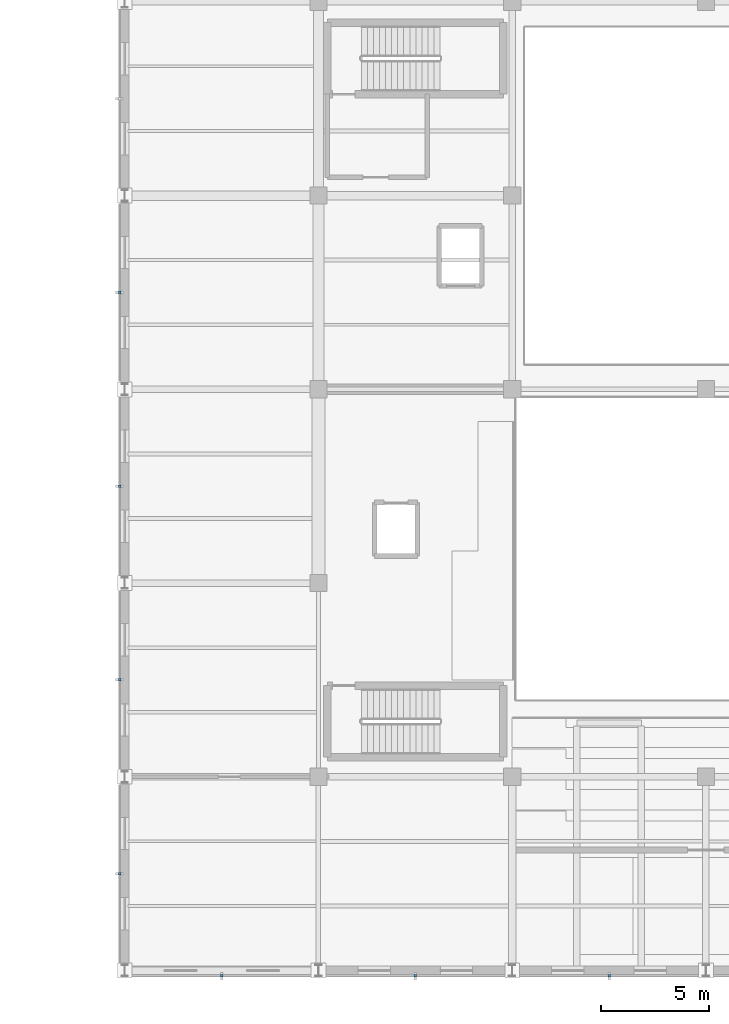
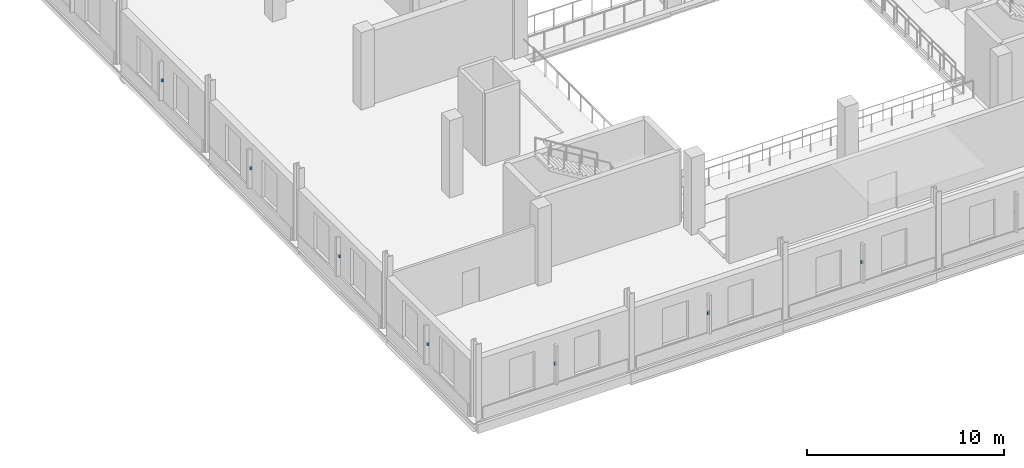
# One storey, part 24 of 35: 7 discrete accessories.
"""IFC4 building model written with IfcOpenShell, lengths in metres."""

from ifc_helpers import new_model, si_unit, direction, frame, origin, origin_2d, place, context, subcontext, project, spatial, rectangle, extrude, material, type_object, element, save


model = new_model("IFC4")

# Units and contexts
model_context = context("Model", 3, precision=1e-05, world=origin(), true_north=direction((0.0, 1.0)))
body_context = subcontext(model_context, "Body", "Model", "MODEL_VIEW")
ifc_project = project(units=[si_unit("LENGTHUNIT", "METRE"), si_unit("AREAUNIT", "SQUARE_METRE"), si_unit("VOLUMEUNIT", "CUBIC_METRE"), si_unit("PLANEANGLEUNIT", "RADIAN"), si_unit("MASSUNIT", "GRAM", prefix="KILO")], contexts=[model_context])

# Site, building, storey
site_placement = place(None, origin())
site = spatial("IfcSite", under=ifc_project, at=site_placement, CompositionType="ELEMENT")
building_placement = place(site_placement, origin())
building = spatial("IfcBuilding", under=site, at=building_placement, Name="Sundgate Opera House", CompositionType="ELEMENT")
storey_placement = place(building_placement, frame((0.0, 0.0, 21.60009765625)))
storey = spatial("IfcBuildingStorey", under=building, at=storey_placement, Name="L04", CompositionType="ELEMENT", Elevation=21.60009765625)

# Discrete accessories
ifc_material = material(Name="Stainless steel EN 1.4404 bracket", Category="steel")
discrete_accessory_type = type_object("IfcDiscreteAccessoryType", Name="AC-BRACKET-SS", PredefinedType="BRACKET", material=ifc_material)
for number, where, z_axis, x_axis, name in (
    (1, (31.5, 32.764892578125, 1.91015625), (0.0, 0.0, 1.0), (1.0, 0.0, 0.0), "L04 Brise-Soleil Anchor Bracket BR0017"),
    (2, (40.5, 32.764892578125, 1.91015625), (0.0, 0.0, 1.0), (1.0, 0.0, 0.0), "L04 Brise-Soleil Anchor Bracket BR0018"),
    (3, (49.5, 32.764892578125, 1.91015625), (0.0, 0.0, 1.0), (1.0, 0.0, 0.0), "L04 Brise-Soleil Anchor Bracket BR0019"),
    (4, (26.764892578125, 37.5, 1.91015625), (0.0, 0.0, 1.0), (1.0, 0.0, 0.0), "L04 Brise-Soleil Anchor Bracket BR0023"),
    (5, (26.764892578125, 46.5, 1.91015625), (0.0, 0.0, 1.0), (1.0, 0.0, 0.0), "L04 Brise-Soleil Anchor Bracket BR0024"),
    (6, (26.764892578125, 55.5, 1.91015625), (0.0, 0.0, 1.0), (1.0, 0.0, 0.0), "L04 Brise-Soleil Anchor Bracket BR0025"),
    (7, (26.764892578125, 64.5, 1.91015625), (0.0, 0.0, 1.0), (1.0, 0.0, 0.0), "L04 Brise-Soleil Anchor Bracket BR0026"),
):
    element("IfcDiscreteAccessory", number, at=place(storey_placement, frame(where, z_axis=z_axis, x_axis=x_axis)), inside=storey, type_object=discrete_accessory_type, Name=name, PredefinedType="BRACKET", context=body_context, shape_type="SweptSolid", body=[
        extrude(rectangle(XDim=0.1201171875, YDim=0.1201171875, at=origin_2d()), origin(), (0.0, 0.0, 1.0), 0.179931640625),
    ])

save(model, "model.ifc")
